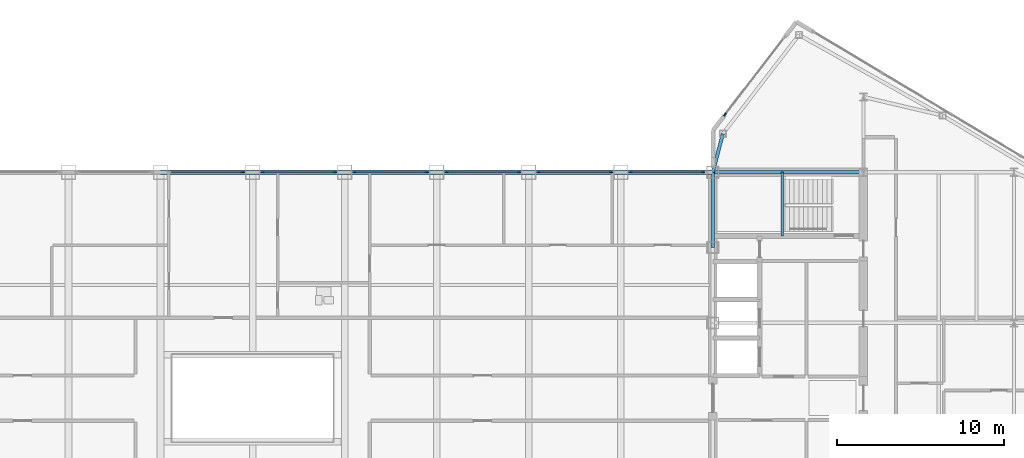
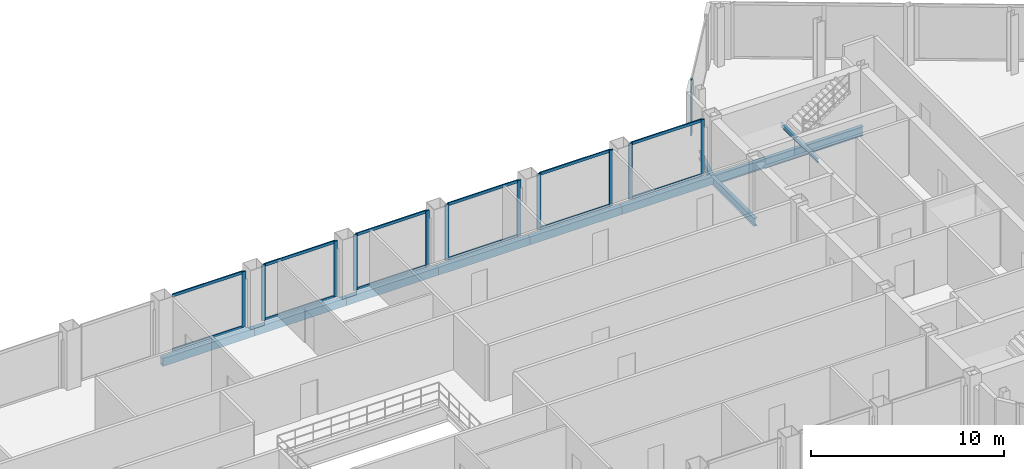
# One storey, part 16 of 29: 24 members, 10 beams, 7 elements without a shape of their own.
"""IFC4 building model written with IfcOpenShell, lengths in metres."""

from ifc_helpers import new_model, si_unit, direction, frame, origin, origin_2d, place, context, subcontext, project, spatial, rectangle, hollow_rectangle, i_section, extrude, source, transform, mapped, material, layer, layer_set, material_profile, profile_set, type_object, type_shapes, element, aggregate, save


model = new_model("IFC4")

# Units and contexts
model_context = context("Model", 3, precision=1e-05, world=origin(), true_north=direction((0.0, 1.0)))
body_context = subcontext(model_context, "Body", "Model", "MODEL_VIEW")
ifc_project = project(units=[si_unit("LENGTHUNIT", "METRE"), si_unit("AREAUNIT", "SQUARE_METRE"), si_unit("VOLUMEUNIT", "CUBIC_METRE"), si_unit("PLANEANGLEUNIT", "RADIAN"), si_unit("MASSUNIT", "GRAM", prefix="KILO")], contexts=[model_context])

# Site, building, storey
site_placement = place(None, origin())
site = spatial("IfcSite", under=ifc_project, at=site_placement, CompositionType="ELEMENT")
building_placement = place(site_placement, origin())
building = spatial("IfcBuilding", under=site, at=building_placement, Name="Seokmaru Belvedere", CompositionType="ELEMENT")
storey_placement = place(building_placement, frame((0.0, 0.0, 250.64990234375)))
storey = spatial("IfcBuildingStorey", under=building, at=storey_placement, Name="L66", CompositionType="ELEMENT", Elevation=250.64990234375)

# Beams
ifc_material_1 = material(Name="Steel SM355 (355 MPa)", Category="steel")
ifc_material_profile_1 = material_profile(ifc_material_1, i_section(OverallWidth=0.199951171875, OverallDepth=0.5, WebThickness=0.010009765625, FlangeThickness=0.01611328125, at=origin_2d()), Name="H-500x200x10x16")
ifc_profile_set_1 = profile_set([ifc_material_profile_1], Name="Steel SM355 (355 MPa)")
beam_type_1 = type_object("IfcBeamType", Name="Perimeter Spandrel Beam H-500", PredefinedType="SPANDREL", material=ifc_profile_set_1)
shared_shape_1 = source(origin(), body_context, "Body", "SweptSolid", [
    extrude(i_section(OverallWidth=0.199951171875, OverallDepth=0.5, WebThickness=0.010009765625, FlangeThickness=0.01611328125, at=origin_2d()), origin(), (0.0, 0.0, 1.0), 4.5),
])
beam_1_placement = place(storey_placement, frame((27.5, 9.0, -0.469970703125), z_axis=(0.0, 1.0, 0.0), x_axis=(-1.0, 0.0, 0.0)))
element("IfcBeam", 1, at=beam_1_placement, inside=storey, type_object=beam_type_1, Name="L66 E Portal Spine Spandrel 5", PredefinedType="SPANDREL", context=body_context, shape_type="MappedRepresentation", body=[
    mapped(shared_shape_1, transform((0.0, 0.0, 0.0), scale=1.0)),
])
ifc_material_profile_2 = material_profile(ifc_material_1, i_section(OverallWidth=0.199951171875, OverallDepth=0.60009765625, WebThickness=0.010986328125, FlangeThickness=0.01708984375, at=origin_2d()), Name="H-600x200x11x17")
ifc_profile_set_2 = profile_set([ifc_material_profile_2], Name="Steel SM355 (355 MPa)")
beam_type_2 = type_object("IfcBeamType", Name="Primary Floor Girder H-600", PredefinedType="BEAM", material=ifc_profile_set_2)
shared_shape_2 = source(origin(), body_context, "Body", "SweptSolid", [
    extrude(i_section(OverallWidth=0.199951171875, OverallDepth=0.60009765625, WebThickness=0.010986328125, FlangeThickness=0.01708984375, at=origin_2d()), origin(), (0.0, 0.0, 1.0), 9.0),
])
type_shapes(beam_type_2, [shared_shape_2])
beam_2_placement = place(storey_placement, frame((27.5, 13.5, -0.52001953125), z_axis=(1.0, 0.0, 0.0), x_axis=(0.0, 1.0, 0.0)))
element("IfcBeam", 2, at=beam_2_placement, inside=storey, type_object=beam_type_2, Name="L66 E Core Tie Girder 4", PredefinedType="BEAM", context=body_context, shape_type="MappedRepresentation", body=[
    mapped(shared_shape_2, transform((0.0, 0.0, 0.0), scale=1.0)),
])
shared_shape_3 = source(origin(), body_context, "Body", "SweptSolid", [
    extrude(i_section(OverallWidth=0.199951171875, OverallDepth=0.5, WebThickness=0.010009765625, FlangeThickness=0.01611328125, at=origin_2d()), origin(), (0.0, 0.0, 1.0), 2.373046875),
])
type_shapes(beam_type_1, [shared_shape_1, shared_shape_3])
beam_3_placement = place(storey_placement, frame((28.10009765625, 15.7958984375, -0.469970703125), z_axis=(-0.252882558842, -0.967496982648, 0.0), x_axis=(0.967496982648, -0.252882558842, 0.0)))
element("IfcBeam", 3, at=beam_3_placement, inside=storey, type_object=beam_type_1, Name="L66 E Shoulder Spine Spandrel N", PredefinedType="SPANDREL", context=body_context, shape_type="MappedRepresentation", body=[
    mapped(shared_shape_3, transform((0.0, 0.0, 0.0), scale=1.0)),
])
ifc_material_profile_3 = material_profile(ifc_material_1, hollow_rectangle(XDim=0.25, YDim=0.5, WallThickness=0.013916015625, at=origin_2d()), Name="RHS-500x250x14")
ifc_profile_set_3 = profile_set([ifc_material_profile_3], Name="Steel SM355 (355 MPa)")
beam_type_3 = type_object("IfcBeamType", Name="Bridge Edge Spandrel RHS-500", PredefinedType="SPANDREL", material=ifc_profile_set_3)
shared_shape_4 = source(origin(), body_context, "Body", "SweptSolid", [
    extrude(hollow_rectangle(XDim=0.25, YDim=0.5, WallThickness=0.013916015625, at=origin_2d()), origin(), (0.0, 0.0, 1.0), 5.5),
])
type_shapes(beam_type_3, [shared_shape_4])
for number, where, z_axis, x_axis, name in (
    (4, (-5.5, 13.5, -0.469970703125), (1.0, 0.0, 0.0), (0.0, 1.0, 0.0), "L66 Sky-Gate Bridge Edge Girder N-05"),
    (5, (0.0, 13.5, -0.469970703125), (1.0, 0.0, 0.0), (0.0, 1.0, 0.0), "L66 Sky-Gate Bridge Edge Girder N-06"),
    (6, (5.5, 13.5, -0.469970703125), (1.0, 0.0, 0.0), (0.0, 1.0, 0.0), "L66 Sky-Gate Bridge Edge Girder N-07"),
    (7, (11.0, 13.5, -0.469970703125), (1.0, 0.0, 0.0), (0.0, 1.0, 0.0), "L66 Sky-Gate Bridge Edge Girder N-08"),
    (8, (16.5, 13.5, -0.469970703125), (1.0, 0.0, 0.0), (0.0, 1.0, 0.0), "L66 Sky-Gate Bridge Edge Girder N-09"),
    (9, (22.0, 13.5, -0.469970703125), (1.0, 0.0, 0.0), (0.0, 1.0, 0.0), "L66 Sky-Gate Bridge Edge Girder N-10"),
):
    element("IfcBeam", number, at=place(storey_placement, frame(where, z_axis=z_axis, x_axis=x_axis)), inside=storey, type_object=beam_type_3, Name=name, PredefinedType="SPANDREL", context=body_context, shape_type="MappedRepresentation", body=[
        mapped(shared_shape_4, transform((0.0, 0.0, 0.0), scale=1.0)),
    ])

# Curtain wall, members
ifc_material_2 = material(Name="Bronze Triple Insulating Glass", Category="glass")
ifc_layer = layer(ifc_material_2, 0.219970703125)
ifc_layer_set = layer_set([ifc_layer], Name="Bronze Triple Insulating Glass")
curtain_wall_type = type_object("IfcCurtainWallType", Name="Sky-Gate Bridge Panorama Curtain Wall System CW-6", PredefinedType="NOTDEFINED", material=ifc_layer_set)
curtain_wall_1_placement = place(storey_placement, origin())
curtain_wall_1 = element("IfcCurtainWall", 10, at=curtain_wall_1_placement, inside=storey, type_object=curtain_wall_type, Name="L66 Curtain Wall BR_N05", PredefinedType="NOTDEFINED")
ifc_material_3 = material(Name="Anodised Bronze Aluminium", Category="aluminium")
ifc_material_profile_4 = material_profile(ifc_material_3, rectangle(XDim=0.074951171875, YDim=0.179931640625, at=origin_2d()), Name="CW-T-75x180")
ifc_profile_set_4 = profile_set([ifc_material_profile_4], Name="Anodised Bronze Aluminium")
member_type_1 = type_object("IfcMemberType", Name="Bronze Unitised Transom 75x180", PredefinedType="USERDEFINED", material=ifc_profile_set_4)
shared_shape_5 = source(origin(), body_context, "Body", "SweptSolid", [
    extrude(rectangle(XDim=0.074951171875, YDim=0.179931640625, at=origin_2d()), origin(), (0.0, 0.0, 1.0), 4.240234375),
])
type_shapes(member_type_1, [shared_shape_5])
member_1_placement = place(storey_placement, frame((-0.6298828125, 13.5, 0.03759765625), z_axis=(-1.0, 0.0, 0.0), x_axis=(0.0, -1.0, 0.0)))
member_1 = element("IfcMember", 11, at=member_1_placement, type_object=member_type_1, Name="CW:L66:BR_N05 Continuous Transom 1", ObjectType="TRANSOM", PredefinedType="USERDEFINED", context=body_context, shape_type="MappedRepresentation", body=[
    mapped(shared_shape_5, transform((0.0, 0.0, 0.0), scale=1.0)),
])
member_2_placement = place(storey_placement, frame((-0.6298828125, 13.5, 3.49267578125), z_axis=(-1.0, 0.0, 0.0), x_axis=(0.0, -1.0, 0.0)))
member_2 = element("IfcMember", 12, at=member_2_placement, type_object=member_type_1, Name="CW:L66:BR_N05 Continuous Transom 2", ObjectType="TRANSOM", PredefinedType="USERDEFINED", context=body_context, shape_type="MappedRepresentation", body=[
    mapped(shared_shape_5, transform((0.0, 0.0, 0.0), scale=1.0)),
])

curtain_wall_2_placement = place(storey_placement, origin())
curtain_wall_2 = element("IfcCurtainWall", 13, at=curtain_wall_2_placement, inside=storey, type_object=curtain_wall_type, Name="L66 Curtain Wall BR_N06", PredefinedType="NOTDEFINED")
member_3_placement = place(storey_placement, frame((4.8701171875, 13.5, 0.03759765625), z_axis=(-1.0, 0.0, 0.0), x_axis=(0.0, -1.0, 0.0)))
member_3 = element("IfcMember", 14, at=member_3_placement, type_object=member_type_1, Name="CW:L66:BR_N06 Continuous Transom 1", ObjectType="TRANSOM", PredefinedType="USERDEFINED", context=body_context, shape_type="MappedRepresentation", body=[
    mapped(shared_shape_5, transform((0.0, 0.0, 0.0), scale=1.0)),
])
member_4_placement = place(storey_placement, frame((4.8701171875, 13.5, 3.49267578125), z_axis=(-1.0, 0.0, 0.0), x_axis=(0.0, -1.0, 0.0)))
member_4 = element("IfcMember", 15, at=member_4_placement, type_object=member_type_1, Name="CW:L66:BR_N06 Continuous Transom 2", ObjectType="TRANSOM", PredefinedType="USERDEFINED", context=body_context, shape_type="MappedRepresentation", body=[
    mapped(shared_shape_5, transform((0.0, 0.0, 0.0), scale=1.0)),
])

curtain_wall_3_placement = place(storey_placement, origin())
curtain_wall_3 = element("IfcCurtainWall", 16, at=curtain_wall_3_placement, inside=storey, type_object=curtain_wall_type, Name="L66 Curtain Wall BR_N07", PredefinedType="NOTDEFINED")
member_5_placement = place(storey_placement, frame((10.3701171875, 13.5, 0.03759765625), z_axis=(-1.0, 0.0, 0.0), x_axis=(0.0, -1.0, 0.0)))
member_5 = element("IfcMember", 17, at=member_5_placement, type_object=member_type_1, Name="CW:L66:BR_N07 Continuous Transom 1", ObjectType="TRANSOM", PredefinedType="USERDEFINED", context=body_context, shape_type="MappedRepresentation", body=[
    mapped(shared_shape_5, transform((0.0, 0.0, 0.0), scale=1.0)),
])
member_6_placement = place(storey_placement, frame((10.3701171875, 13.5, 3.49267578125), z_axis=(-1.0, 0.0, 0.0), x_axis=(0.0, -1.0, 0.0)))
member_6 = element("IfcMember", 18, at=member_6_placement, type_object=member_type_1, Name="CW:L66:BR_N07 Continuous Transom 2", ObjectType="TRANSOM", PredefinedType="USERDEFINED", context=body_context, shape_type="MappedRepresentation", body=[
    mapped(shared_shape_5, transform((0.0, 0.0, 0.0), scale=1.0)),
])

curtain_wall_4_placement = place(storey_placement, origin())
curtain_wall_4 = element("IfcCurtainWall", 19, at=curtain_wall_4_placement, inside=storey, type_object=curtain_wall_type, Name="L66 Curtain Wall BR_N08", PredefinedType="NOTDEFINED")
member_7_placement = place(storey_placement, frame((15.8701171875, 13.5, 0.03759765625), z_axis=(-1.0, 0.0, 0.0), x_axis=(0.0, -1.0, 0.0)))
member_7 = element("IfcMember", 20, at=member_7_placement, type_object=member_type_1, Name="CW:L66:BR_N08 Continuous Transom 1", ObjectType="TRANSOM", PredefinedType="USERDEFINED", context=body_context, shape_type="MappedRepresentation", body=[
    mapped(shared_shape_5, transform((0.0, 0.0, 0.0), scale=1.0)),
])
member_8_placement = place(storey_placement, frame((15.8701171875, 13.5, 3.49267578125), z_axis=(-1.0, 0.0, 0.0), x_axis=(0.0, -1.0, 0.0)))
member_8 = element("IfcMember", 21, at=member_8_placement, type_object=member_type_1, Name="CW:L66:BR_N08 Continuous Transom 2", ObjectType="TRANSOM", PredefinedType="USERDEFINED", context=body_context, shape_type="MappedRepresentation", body=[
    mapped(shared_shape_5, transform((0.0, 0.0, 0.0), scale=1.0)),
])

curtain_wall_5_placement = place(storey_placement, origin())
curtain_wall_5 = element("IfcCurtainWall", 22, at=curtain_wall_5_placement, inside=storey, type_object=curtain_wall_type, Name="L66 Curtain Wall BR_N09", PredefinedType="NOTDEFINED")
member_9_placement = place(storey_placement, frame((21.3701171875, 13.5, 0.03759765625), z_axis=(-1.0, 0.0, 0.0), x_axis=(0.0, -1.0, 0.0)))
member_9 = element("IfcMember", 23, at=member_9_placement, type_object=member_type_1, Name="CW:L66:BR_N09 Continuous Transom 1", ObjectType="TRANSOM", PredefinedType="USERDEFINED", context=body_context, shape_type="MappedRepresentation", body=[
    mapped(shared_shape_5, transform((0.0, 0.0, 0.0), scale=1.0)),
])
member_10_placement = place(storey_placement, frame((21.3701171875, 13.5, 3.49267578125), z_axis=(-1.0, 0.0, 0.0), x_axis=(0.0, -1.0, 0.0)))
member_10 = element("IfcMember", 24, at=member_10_placement, type_object=member_type_1, Name="CW:L66:BR_N09 Continuous Transom 2", ObjectType="TRANSOM", PredefinedType="USERDEFINED", context=body_context, shape_type="MappedRepresentation", body=[
    mapped(shared_shape_5, transform((0.0, 0.0, 0.0), scale=1.0)),
])

curtain_wall_6_placement = place(storey_placement, origin())
curtain_wall_6 = element("IfcCurtainWall", 25, at=curtain_wall_6_placement, inside=storey, type_object=curtain_wall_type, Name="L66 Curtain Wall BR_N10", PredefinedType="NOTDEFINED")
member_11_placement = place(storey_placement, frame((26.8701171875, 13.5, 0.03759765625), z_axis=(-1.0, 0.0, 0.0), x_axis=(0.0, -1.0, 0.0)))
member_11 = element("IfcMember", 26, at=member_11_placement, type_object=member_type_1, Name="CW:L66:BR_N10 Continuous Transom 1", ObjectType="TRANSOM", PredefinedType="USERDEFINED", context=body_context, shape_type="MappedRepresentation", body=[
    mapped(shared_shape_5, transform((0.0, 0.0, 0.0), scale=1.0)),
])
member_12_placement = place(storey_placement, frame((26.8701171875, 13.5, 3.49267578125), z_axis=(-1.0, 0.0, 0.0), x_axis=(0.0, -1.0, 0.0)))
member_12 = element("IfcMember", 27, at=member_12_placement, type_object=member_type_1, Name="CW:L66:BR_N10 Continuous Transom 2", ObjectType="TRANSOM", PredefinedType="USERDEFINED", context=body_context, shape_type="MappedRepresentation", body=[
    mapped(shared_shape_5, transform((0.0, 0.0, 0.0), scale=1.0)),
])

# Curtain wall, member
curtain_wall_7_placement = place(storey_placement, origin())
curtain_wall_7 = element("IfcCurtainWall", 28, at=curtain_wall_7_placement, inside=storey, type_object=curtain_wall_type, Name="L66 Curtain Wall EF4", PredefinedType="NOTDEFINED")
ifc_material_profile_5 = material_profile(ifc_material_3, rectangle(XDim=0.080078125, YDim=0.219970703125, at=origin_2d()), Name="CW-M-80x220")
ifc_profile_set_5 = profile_set([ifc_material_profile_5], Name="Anodised Bronze Aluminium")
member_type_2 = type_object("IfcMemberType", Name="Bronze Unitised Mullion 80x220", PredefinedType="MULLION", material=ifc_profile_set_5)
shared_shape_6 = source(origin(), body_context, "Body", "SweptSolid", [
    extrude(rectangle(XDim=0.080078125, YDim=0.219970703125, at=origin_2d()), origin(), (0.0, 0.0, 1.0), 3.530029296875),
])
type_shapes(member_type_2, [shared_shape_6])
member_13_placement = place(storey_placement, frame((28.2255859375, 16.943115234375, 0.0), z_axis=(0.0, 0.0, 1.0), x_axis=(0.792631353244, -0.609701187349, 0.0)))
member_13 = element("IfcMember", 29, at=member_13_placement, type_object=member_type_2, Name="CW:L66:EF4 Mullion 2", PredefinedType="MULLION", context=body_context, shape_type="MappedRepresentation", body=[
    mapped(shared_shape_6, transform((0.0, 0.0, 0.0), scale=1.0)),
])
aggregate(curtain_wall_7, [member_13])

# Member
member_14_placement = place(storey_placement, frame((-0.590087890625, 13.5, 0.0), z_axis=(0.0, 0.0, 1.0), x_axis=(0.0, -1.0, 0.0)))
member_14 = element("IfcMember", 30, at=member_14_placement, type_object=member_type_2, Name="CW:L66:BR_N05 Mullion 1", PredefinedType="MULLION", context=body_context, shape_type="MappedRepresentation", body=[
    mapped(shared_shape_6, transform((0.0, 0.0, 0.0), scale=1.0)),
])

aggregate(curtain_wall_1, [member_14, member_1, member_2])

member_15_placement = place(storey_placement, frame((4.909912109375, 13.5, 0.0), z_axis=(0.0, 0.0, 1.0), x_axis=(0.0, -1.0, 0.0)))
member_15 = element("IfcMember", 31, at=member_15_placement, type_object=member_type_2, Name="CW:L66:BR_N06 Mullion 1", PredefinedType="MULLION", context=body_context, shape_type="MappedRepresentation", body=[
    mapped(shared_shape_6, transform((0.0, 0.0, 0.0), scale=1.0)),
])

member_16_placement = place(storey_placement, frame((0.590087890625, 13.5, 0.0), z_axis=(0.0, 0.0, 1.0), x_axis=(0.0, -1.0, 0.0)))
member_16 = element("IfcMember", 32, at=member_16_placement, type_object=member_type_2, Name="CW:L66:BR_N06 Mullion 2", PredefinedType="MULLION", context=body_context, shape_type="MappedRepresentation", body=[
    mapped(shared_shape_6, transform((0.0, 0.0, 0.0), scale=1.0)),
])

aggregate(curtain_wall_2, [member_15, member_16, member_3, member_4])

member_17_placement = place(storey_placement, frame((10.409912109375, 13.5, 0.0), z_axis=(0.0, 0.0, 1.0), x_axis=(0.0, -1.0, 0.0)))
member_17 = element("IfcMember", 33, at=member_17_placement, type_object=member_type_2, Name="CW:L66:BR_N07 Mullion 1", PredefinedType="MULLION", context=body_context, shape_type="MappedRepresentation", body=[
    mapped(shared_shape_6, transform((0.0, 0.0, 0.0), scale=1.0)),
])

member_18_placement = place(storey_placement, frame((6.090087890625, 13.5, 0.0), z_axis=(0.0, 0.0, 1.0), x_axis=(0.0, -1.0, 0.0)))
member_18 = element("IfcMember", 34, at=member_18_placement, type_object=member_type_2, Name="CW:L66:BR_N07 Mullion 2", PredefinedType="MULLION", context=body_context, shape_type="MappedRepresentation", body=[
    mapped(shared_shape_6, transform((0.0, 0.0, 0.0), scale=1.0)),
])

aggregate(curtain_wall_3, [member_17, member_18, member_5, member_6])

member_19_placement = place(storey_placement, frame((15.909912109375, 13.5, 0.0), z_axis=(0.0, 0.0, 1.0), x_axis=(0.0, -1.0, 0.0)))
member_19 = element("IfcMember", 35, at=member_19_placement, type_object=member_type_2, Name="CW:L66:BR_N08 Mullion 1", PredefinedType="MULLION", context=body_context, shape_type="MappedRepresentation", body=[
    mapped(shared_shape_6, transform((0.0, 0.0, 0.0), scale=1.0)),
])

member_20_placement = place(storey_placement, frame((11.590087890625, 13.5, 0.0), z_axis=(0.0, 0.0, 1.0), x_axis=(0.0, -1.0, 0.0)))
member_20 = element("IfcMember", 36, at=member_20_placement, type_object=member_type_2, Name="CW:L66:BR_N08 Mullion 2", PredefinedType="MULLION", context=body_context, shape_type="MappedRepresentation", body=[
    mapped(shared_shape_6, transform((0.0, 0.0, 0.0), scale=1.0)),
])

aggregate(curtain_wall_4, [member_19, member_20, member_7, member_8])

member_21_placement = place(storey_placement, frame((21.409912109375, 13.5, 0.0), z_axis=(0.0, 0.0, 1.0), x_axis=(0.0, -1.0, 0.0)))
member_21 = element("IfcMember", 37, at=member_21_placement, type_object=member_type_2, Name="CW:L66:BR_N09 Mullion 1", PredefinedType="MULLION", context=body_context, shape_type="MappedRepresentation", body=[
    mapped(shared_shape_6, transform((0.0, 0.0, 0.0), scale=1.0)),
])

member_22_placement = place(storey_placement, frame((17.090087890625, 13.5, 0.0), z_axis=(0.0, 0.0, 1.0), x_axis=(0.0, -1.0, 0.0)))
member_22 = element("IfcMember", 38, at=member_22_placement, type_object=member_type_2, Name="CW:L66:BR_N09 Mullion 2", PredefinedType="MULLION", context=body_context, shape_type="MappedRepresentation", body=[
    mapped(shared_shape_6, transform((0.0, 0.0, 0.0), scale=1.0)),
])

aggregate(curtain_wall_5, [member_21, member_22, member_9, member_10])

member_23_placement = place(storey_placement, frame((26.909912109375, 13.5, 0.0), z_axis=(0.0, 0.0, 1.0), x_axis=(0.0, -1.0, 0.0)))
member_23 = element("IfcMember", 39, at=member_23_placement, type_object=member_type_2, Name="CW:L66:BR_N10 Mullion 1", PredefinedType="MULLION", context=body_context, shape_type="MappedRepresentation", body=[
    mapped(shared_shape_6, transform((0.0, 0.0, 0.0), scale=1.0)),
])

member_24_placement = place(storey_placement, frame((22.590087890625, 13.5, 0.0), z_axis=(0.0, 0.0, 1.0), x_axis=(0.0, -1.0, 0.0)))
member_24 = element("IfcMember", 40, at=member_24_placement, type_object=member_type_2, Name="CW:L66:BR_N10 Mullion 2", PredefinedType="MULLION", context=body_context, shape_type="MappedRepresentation", body=[
    mapped(shared_shape_6, transform((0.0, 0.0, 0.0), scale=1.0)),
])

aggregate(curtain_wall_6, [member_23, member_24, member_11, member_12])

# Beam
ifc_material_profile_6 = material_profile(ifc_material_1, i_section(OverallWidth=0.125, OverallDepth=0.25, WebThickness=0.006103515625, FlangeThickness=0.009033203125, at=origin_2d()), Name="H-250x125x6x9")
ifc_profile_set_6 = profile_set([ifc_material_profile_6], Name="Steel SM355 (355 MPa)")
beam_type_4 = type_object("IfcBeamType", Name="Stair Mid-Landing Support Beam H-250", PredefinedType="JOIST", material=ifc_profile_set_6)
shared_shape_7 = source(origin(), body_context, "Body", "SweptSolid", [
    extrude(i_section(OverallWidth=0.125, OverallDepth=0.25, WebThickness=0.006103515625, FlangeThickness=0.009033203125, at=origin_2d()), origin(), (0.0, 0.0, 1.0), 3.800048828125),
])
type_shapes(beam_type_4, [shared_shape_7])
beam_4_placement = place(storey_placement, frame((31.64990234375, 9.699951171875, 1.550048828125), z_axis=(0.0, 1.0, 0.0), x_axis=(-1.0, 0.0, 0.0)))
element("IfcBeam", 41, at=beam_4_placement, inside=storey, type_object=beam_type_4, Name="L66 Stair ST-E2 Mid-Landing Support Beam 1", PredefinedType="JOIST", context=body_context, shape_type="MappedRepresentation", body=[
    mapped(shared_shape_7, transform((0.0, 0.0, 0.0), scale=1.0)),
])

save(model, "model.ifc")
